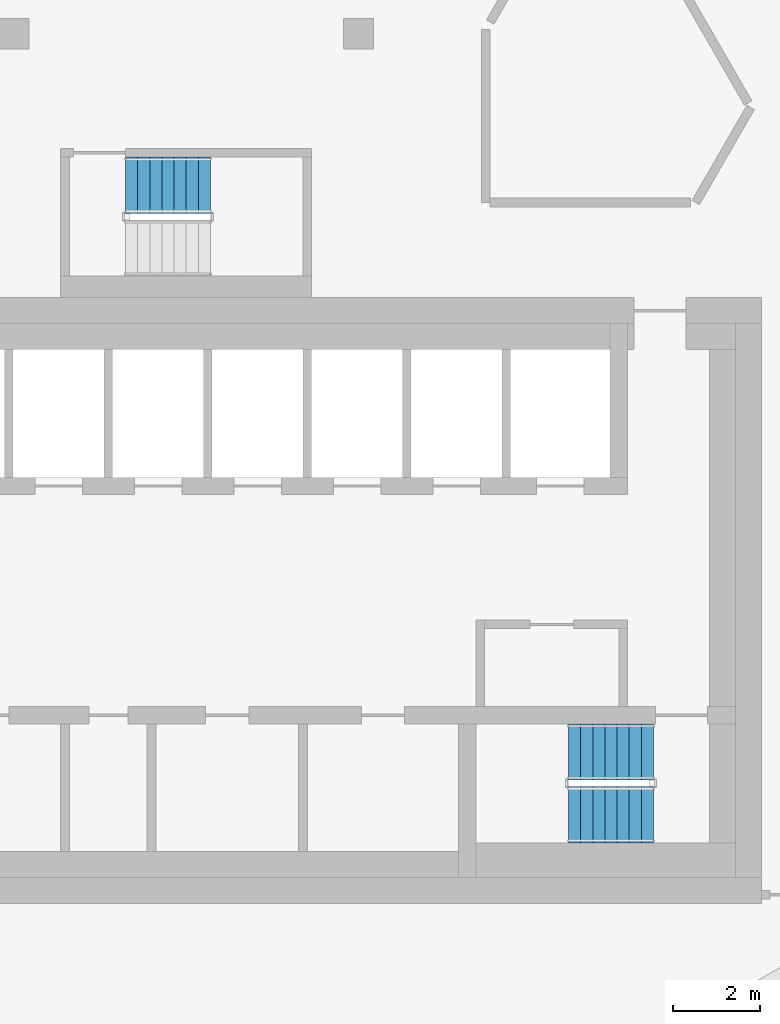
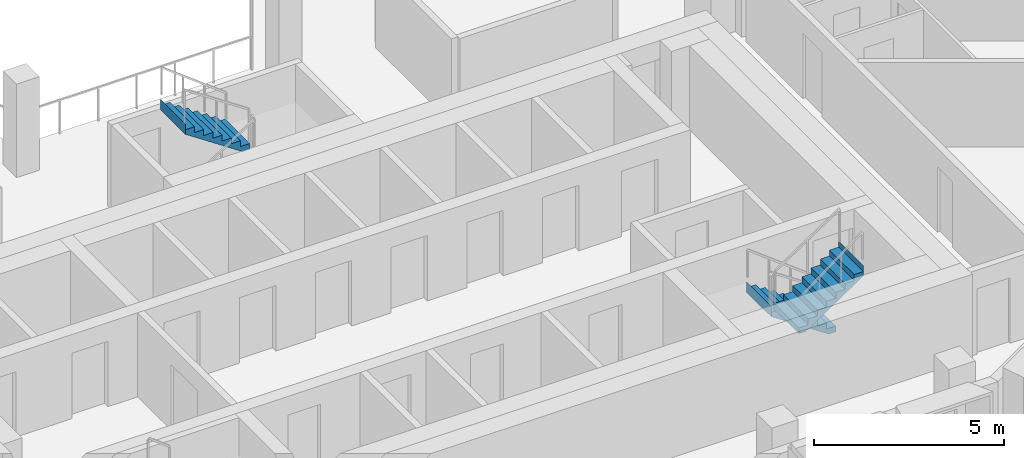
# One storey, part 13 of 18: 3 stair flights, 2 elements without a shape of their own.
"""IFC4 building model written with IfcOpenShell, lengths in metres."""

from ifc_helpers import new_model, si_unit, direction, frame, origin, place, context, subcontext, project, spatial, triangles, material, type_object, element, aggregate, save


model = new_model("IFC4")

# Units and contexts
model_context = context("Model", 3, precision=1e-05, world=origin(), true_north=direction((0.0, 1.0)))
body_context = subcontext(model_context, "Body", "Model", "MODEL_VIEW")
ifc_project = project(units=[si_unit("LENGTHUNIT", "METRE"), si_unit("AREAUNIT", "SQUARE_METRE"), si_unit("VOLUMEUNIT", "CUBIC_METRE"), si_unit("PLANEANGLEUNIT", "RADIAN"), si_unit("MASSUNIT", "GRAM", prefix="KILO")], contexts=[model_context])

# Site, building, storey
site_placement = place(None, origin())
site = spatial("IfcSite", under=ifc_project, at=site_placement, CompositionType="ELEMENT")
building_placement = place(site_placement, origin())
building = spatial("IfcBuilding", under=site, at=building_placement, Name="Beryl Residences", CompositionType="ELEMENT")
storey_placement = place(building_placement, frame((0.0, 0.0, 190.199951171875)))
storey = spatial("IfcBuildingStorey", under=building, at=storey_placement, Name="L58", CompositionType="ELEMENT", Elevation=190.199951171875)

# Stair, stair flights
ifc_material_1 = material(Name="Concrete C40/50", Category="concrete")
stair_type = type_object("IfcStairType", Name="ST1 protected exit stair, half-turn, 1300 mm flights", PredefinedType="HALF_TURN_STAIR", material=ifc_material_1)
stair_1_placement = place(storey_placement, origin())
stair_1 = element("IfcStair", 1, at=stair_1_placement, inside=storey, type_object=stair_type, Name="L58 PROTECTED EXIT STAIR ST-3", PredefinedType="HALF_TURN_STAIR")
ifc_material_2 = material(Name="Concrete C40/50", Category="concrete")
stair_flight_type = type_object("IfcStairFlightType", Name="SF1 stair flight 1300 mm", PredefinedType="STRAIGHT", material=ifc_material_2)
stair_flight_1_placement = place(storey_placement, frame((10.800048828125, -15.5, 0.0), z_axis=(0.0, 0.0, 1.0), x_axis=(-1.0, 0.0, 0.0)))
stair_flight_1 = element("IfcStairFlight", 2, at=stair_flight_1_placement, type_object=stair_flight_type, Name="ST-3 flight 1", NumberOfRisers=8, NumberOfTreads=7, PredefinedType="STRAIGHT", RiserHeight=0.1875, TreadLength=0.28, context=body_context, shape_type="Tessellation", body=[
    triangles([(0.0, -0.64990234375, 0.0), (0.0, -0.324951171875, 0.0), (0.0, 0.0, 0.0), (0.0, 0.324951171875, 0.0), (0.0, 0.64990234375, 0.0), (0.0, -0.64990234375, 0.1875), (0.0, -0.324951171875, 0.1875), (0.0, 0.0, 0.1875), (0.0, 0.324951171875, 0.1875), (0.0, 0.64990234375, 0.1875), (0.280029296875, -0.64990234375, 0.1875), (0.280029296875, -0.324951171875, 0.1875), (0.280029296875, 0.0, 0.1875), (0.280029296875, 0.324951171875, 0.1875), (0.280029296875, 0.64990234375, 0.1875), (0.280029296875, -0.64990234375, 0.375), (0.280029296875, -0.324951171875, 0.375), (0.280029296875, 0.0, 0.375), (0.280029296875, 0.324951171875, 0.375), (0.280029296875, 0.64990234375, 0.375), (0.56005859375, -0.64990234375, 0.375), (0.56005859375, -0.324951171875, 0.375), (0.56005859375, 0.0, 0.375), (0.56005859375, 0.324951171875, 0.375), (0.56005859375, 0.64990234375, 0.375), (0.56005859375, -0.64990234375, 0.5625), (0.56005859375, -0.324951171875, 0.5625), (0.56005859375, 0.0, 0.5625), (0.56005859375, 0.324951171875, 0.5625), (0.56005859375, 0.64990234375, 0.5625), (0.840087890625, -0.64990234375, 0.5625), (0.840087890625, -0.324951171875, 0.5625), (0.840087890625, 0.0, 0.5625), (0.840087890625, 0.324951171875, 0.5625), (0.840087890625, 0.64990234375, 0.5625), (0.840087890625, -0.64990234375, 0.75), (0.840087890625, -0.324951171875, 0.75), (0.840087890625, 0.0, 0.75), (0.840087890625, 0.324951171875, 0.75), (0.840087890625, 0.64990234375, 0.75), (1.1201171875, -0.64990234375, 0.75), (1.1201171875, -0.324951171875, 0.75), (1.1201171875, 0.0, 0.75), (1.1201171875, 0.324951171875, 0.75), (1.1201171875, 0.64990234375, 0.75), (1.1201171875, -0.64990234375, 0.9375), (1.1201171875, -0.324951171875, 0.9375), (1.1201171875, 0.0, 0.9375), (1.1201171875, 0.324951171875, 0.9375), (1.1201171875, 0.64990234375, 0.9375), (1.39990234375, -0.64990234375, 0.9375), (1.39990234375, -0.324951171875, 0.9375), (1.39990234375, 0.0, 0.9375), (1.39990234375, 0.324951171875, 0.9375), (1.39990234375, 0.64990234375, 0.9375), (1.39990234375, -0.64990234375, 1.125), (1.39990234375, -0.324951171875, 1.125), (1.39990234375, 0.0, 1.125), (1.39990234375, 0.324951171875, 1.125), (1.39990234375, 0.64990234375, 1.125), (1.679931640625, -0.64990234375, 1.125), (1.679931640625, -0.324951171875, 1.125), (1.679931640625, 0.0, 1.125), (1.679931640625, 0.324951171875, 1.125), (1.679931640625, 0.64990234375, 1.125), (1.679931640625, -0.64990234375, 1.3125), (1.679931640625, -0.324951171875, 1.3125), (1.679931640625, 0.0, 1.3125), (1.679931640625, 0.324951171875, 1.3125), (1.679931640625, 0.64990234375, 1.3125), (1.9599609375, -0.64990234375, 1.3125), (1.9599609375, -0.324951171875, 1.3125), (1.9599609375, 0.0, 1.3125), (1.9599609375, 0.324951171875, 1.3125), (1.9599609375, 0.64990234375, 1.3125), (1.9599609375, -0.64990234375, 1.5), (1.9599609375, -0.324951171875, 1.5), (1.9599609375, 0.0, 1.5), (1.9599609375, 0.324951171875, 1.5), (1.9599609375, 0.64990234375, 1.5), (1.9609375, -0.64990234375, 1.5), (1.9609375, -0.324951171875, 1.5), (1.9609375, 0.0, 1.5), (1.9609375, 0.324951171875, 1.5), (1.9609375, 0.64990234375, 1.5), (1.9609375, -0.64990234375, 1.16796875), (1.9609375, -0.324951171875, 1.16796875), (1.9609375, 0.0, 1.16796875), (1.9609375, 0.324951171875, 1.16796875), (1.9609375, 0.64990234375, 1.16796875), (0.216796875, -0.64990234375, 0.0), (0.216796875, -0.324951171875, 0.0), (0.216796875, 0.0, 0.0), (0.216796875, 0.324951171875, 0.0), (0.216796875, 0.64990234375, 0.0)], [[1, 6, 7], [1, 7, 2], [2, 7, 8], [2, 8, 3], [3, 8, 9], [3, 9, 4], [4, 9, 10], [4, 10, 5], [6, 11, 12], [6, 12, 7], [7, 12, 13], [7, 13, 8], [8, 13, 14], [8, 14, 9], [9, 14, 15], [9, 15, 10], [11, 16, 17], [11, 17, 12], [12, 17, 18], [12, 18, 13], [13, 18, 19], [13, 19, 14], [14, 19, 20], [14, 20, 15], [16, 21, 22], [16, 22, 17], [17, 22, 23], [17, 23, 18], [18, 23, 24], [18, 24, 19], [19, 24, 25], [19, 25, 20], [21, 26, 27], [21, 27, 22], [22, 27, 28], [22, 28, 23], [23, 28, 29], [23, 29, 24], [24, 29, 30], [24, 30, 25], [26, 31, 32], [26, 32, 27], [27, 32, 33], [27, 33, 28], [28, 33, 34], [28, 34, 29], [29, 34, 35], [29, 35, 30], [31, 36, 37], [31, 37, 32], [32, 37, 38], [32, 38, 33], [33, 38, 39], [33, 39, 34], [34, 39, 40], [34, 40, 35], [36, 41, 42], [36, 42, 37], [37, 42, 43], [37, 43, 38], [38, 43, 44], [38, 44, 39], [39, 44, 45], [39, 45, 40], [41, 46, 47], [41, 47, 42], [42, 47, 48], [42, 48, 43], [43, 48, 49], [43, 49, 44], [44, 49, 50], [44, 50, 45], [46, 51, 52], [46, 52, 47], [47, 52, 53], [47, 53, 48], [48, 53, 54], [48, 54, 49], [49, 54, 55], [49, 55, 50], [51, 56, 57], [51, 57, 52], [52, 57, 58], [52, 58, 53], [53, 58, 59], [53, 59, 54], [54, 59, 60], [54, 60, 55], [56, 61, 62], [56, 62, 57], [57, 62, 63], [57, 63, 58], [58, 63, 64], [58, 64, 59], [59, 64, 65], [59, 65, 60], [61, 66, 67], [61, 67, 62], [62, 67, 68], [62, 68, 63], [63, 68, 69], [63, 69, 64], [64, 69, 70], [64, 70, 65], [66, 71, 72], [66, 72, 67], [67, 72, 73], [67, 73, 68], [68, 73, 74], [68, 74, 69], [69, 74, 75], [69, 75, 70], [71, 76, 77], [71, 77, 72], [72, 77, 78], [72, 78, 73], [73, 78, 79], [73, 79, 74], [74, 79, 80], [74, 80, 75], [76, 81, 82], [76, 82, 77], [77, 82, 83], [77, 83, 78], [78, 83, 84], [78, 84, 79], [79, 84, 85], [79, 85, 80], [81, 86, 87], [81, 87, 82], [82, 87, 88], [82, 88, 83], [83, 88, 89], [83, 89, 84], [84, 89, 90], [84, 90, 85], [86, 91, 92], [86, 92, 87], [87, 92, 93], [87, 93, 88], [88, 93, 94], [88, 94, 89], [89, 94, 95], [89, 95, 90], [91, 1, 2], [91, 2, 92], [92, 2, 3], [92, 3, 93], [93, 3, 4], [93, 4, 94], [94, 4, 5], [94, 5, 95], [1, 91, 86], [5, 90, 95], [86, 81, 76], [90, 80, 85], [86, 76, 71], [90, 75, 80], [86, 71, 66], [90, 70, 75], [86, 66, 61], [90, 65, 70], [61, 56, 51], [65, 55, 60], [86, 61, 51], [90, 55, 65], [51, 46, 41], [55, 45, 50], [86, 51, 41], [90, 45, 55], [41, 36, 31], [45, 35, 40], [86, 41, 31], [90, 35, 45], [31, 26, 21], [35, 25, 30], [86, 31, 21], [90, 25, 35], [21, 16, 11], [25, 15, 20], [86, 21, 11], [90, 15, 25], [1, 86, 11], [5, 15, 90], [11, 6, 1], [15, 5, 10]], closed=True),
])
stair_flight_2_placement = place(storey_placement, frame((8.840087890625, -16.949951171875, 1.5), z_axis=(0.0, 0.0, 1.0), x_axis=(1.0, 0.0, 0.0)))
stair_flight_2 = element("IfcStairFlight", 3, at=stair_flight_2_placement, type_object=stair_flight_type, Name="ST-3 flight 2", NumberOfRisers=8, NumberOfTreads=7, PredefinedType="STRAIGHT", RiserHeight=0.1875, TreadLength=0.28, context=body_context, shape_type="Tessellation", body=[
    triangles([(0.0, -0.64990234375, 0.0), (0.0, -0.324951171875, 0.0), (0.0, 0.0, 0.0), (0.0, 0.324951171875, 0.0), (0.0, 0.64990234375, 0.0), (0.0, -0.64990234375, 0.1875), (0.0, -0.324951171875, 0.1875), (0.0, 0.0, 0.1875), (0.0, 0.324951171875, 0.1875), (0.0, 0.64990234375, 0.1875), (0.280029296875, -0.64990234375, 0.1875), (0.280029296875, -0.324951171875, 0.1875), (0.280029296875, 0.0, 0.1875), (0.280029296875, 0.324951171875, 0.1875), (0.280029296875, 0.64990234375, 0.1875), (0.280029296875, -0.64990234375, 0.375), (0.280029296875, -0.324951171875, 0.375), (0.280029296875, 0.0, 0.375), (0.280029296875, 0.324951171875, 0.375), (0.280029296875, 0.64990234375, 0.375), (0.56005859375, -0.64990234375, 0.375), (0.56005859375, -0.324951171875, 0.375), (0.56005859375, 0.0, 0.375), (0.56005859375, 0.324951171875, 0.375), (0.56005859375, 0.64990234375, 0.375), (0.56005859375, -0.64990234375, 0.5625), (0.56005859375, -0.324951171875, 0.5625), (0.56005859375, 0.0, 0.5625), (0.56005859375, 0.324951171875, 0.5625), (0.56005859375, 0.64990234375, 0.5625), (0.840087890625, -0.64990234375, 0.5625), (0.840087890625, -0.324951171875, 0.5625), (0.840087890625, 0.0, 0.5625), (0.840087890625, 0.324951171875, 0.5625), (0.840087890625, 0.64990234375, 0.5625), (0.840087890625, -0.64990234375, 0.75), (0.840087890625, -0.324951171875, 0.75), (0.840087890625, 0.0, 0.75), (0.840087890625, 0.324951171875, 0.75), (0.840087890625, 0.64990234375, 0.75), (1.1201171875, -0.64990234375, 0.75), (1.1201171875, -0.324951171875, 0.75), (1.1201171875, 0.0, 0.75), (1.1201171875, 0.324951171875, 0.75), (1.1201171875, 0.64990234375, 0.75), (1.1201171875, -0.64990234375, 0.9375), (1.1201171875, -0.324951171875, 0.9375), (1.1201171875, 0.0, 0.9375), (1.1201171875, 0.324951171875, 0.9375), (1.1201171875, 0.64990234375, 0.9375), (1.39990234375, -0.64990234375, 0.9375), (1.39990234375, -0.324951171875, 0.9375), (1.39990234375, 0.0, 0.9375), (1.39990234375, 0.324951171875, 0.9375), (1.39990234375, 0.64990234375, 0.9375), (1.39990234375, -0.64990234375, 1.125), (1.39990234375, -0.324951171875, 1.125), (1.39990234375, 0.0, 1.125), (1.39990234375, 0.324951171875, 1.125), (1.39990234375, 0.64990234375, 1.125), (1.679931640625, -0.64990234375, 1.125), (1.679931640625, -0.324951171875, 1.125), (1.679931640625, 0.0, 1.125), (1.679931640625, 0.324951171875, 1.125), (1.679931640625, 0.64990234375, 1.125), (1.679931640625, -0.64990234375, 1.3125), (1.679931640625, -0.324951171875, 1.3125), (1.679931640625, 0.0, 1.3125), (1.679931640625, 0.324951171875, 1.3125), (1.679931640625, 0.64990234375, 1.3125), (1.9599609375, -0.64990234375, 1.3125), (1.9599609375, -0.324951171875, 1.3125), (1.9599609375, 0.0, 1.3125), (1.9599609375, 0.324951171875, 1.3125), (1.9599609375, 0.64990234375, 1.3125), (1.9599609375, -0.64990234375, 1.5), (1.9599609375, -0.324951171875, 1.5), (1.9599609375, 0.0, 1.5), (1.9599609375, 0.324951171875, 1.5), (1.9599609375, 0.64990234375, 1.5), (1.9609375, -0.64990234375, 1.5), (1.9609375, -0.324951171875, 1.5), (1.9609375, 0.0, 1.5), (1.9609375, 0.324951171875, 1.5), (1.9609375, 0.64990234375, 1.5), (1.9609375, -0.64990234375, 1.16796875), (1.9609375, -0.324951171875, 1.16796875), (1.9609375, 0.0, 1.16796875), (1.9609375, 0.324951171875, 1.16796875), (1.9609375, 0.64990234375, 1.16796875), (0.216796875, -0.64990234375, 0.0), (0.216796875, -0.324951171875, 0.0), (0.216796875, 0.0, 0.0), (0.216796875, 0.324951171875, 0.0), (0.216796875, 0.64990234375, 0.0)], [[1, 6, 7], [1, 7, 2], [2, 7, 8], [2, 8, 3], [3, 8, 9], [3, 9, 4], [4, 9, 10], [4, 10, 5], [6, 11, 12], [6, 12, 7], [7, 12, 13], [7, 13, 8], [8, 13, 14], [8, 14, 9], [9, 14, 15], [9, 15, 10], [11, 16, 17], [11, 17, 12], [12, 17, 18], [12, 18, 13], [13, 18, 19], [13, 19, 14], [14, 19, 20], [14, 20, 15], [16, 21, 22], [16, 22, 17], [17, 22, 23], [17, 23, 18], [18, 23, 24], [18, 24, 19], [19, 24, 25], [19, 25, 20], [21, 26, 27], [21, 27, 22], [22, 27, 28], [22, 28, 23], [23, 28, 29], [23, 29, 24], [24, 29, 30], [24, 30, 25], [26, 31, 32], [26, 32, 27], [27, 32, 33], [27, 33, 28], [28, 33, 34], [28, 34, 29], [29, 34, 35], [29, 35, 30], [31, 36, 37], [31, 37, 32], [32, 37, 38], [32, 38, 33], [33, 38, 39], [33, 39, 34], [34, 39, 40], [34, 40, 35], [36, 41, 42], [36, 42, 37], [37, 42, 43], [37, 43, 38], [38, 43, 44], [38, 44, 39], [39, 44, 45], [39, 45, 40], [41, 46, 47], [41, 47, 42], [42, 47, 48], [42, 48, 43], [43, 48, 49], [43, 49, 44], [44, 49, 50], [44, 50, 45], [46, 51, 52], [46, 52, 47], [47, 52, 53], [47, 53, 48], [48, 53, 54], [48, 54, 49], [49, 54, 55], [49, 55, 50], [51, 56, 57], [51, 57, 52], [52, 57, 58], [52, 58, 53], [53, 58, 59], [53, 59, 54], [54, 59, 60], [54, 60, 55], [56, 61, 62], [56, 62, 57], [57, 62, 63], [57, 63, 58], [58, 63, 64], [58, 64, 59], [59, 64, 65], [59, 65, 60], [61, 66, 67], [61, 67, 62], [62, 67, 68], [62, 68, 63], [63, 68, 69], [63, 69, 64], [64, 69, 70], [64, 70, 65], [66, 71, 72], [66, 72, 67], [67, 72, 73], [67, 73, 68], [68, 73, 74], [68, 74, 69], [69, 74, 75], [69, 75, 70], [71, 76, 77], [71, 77, 72], [72, 77, 78], [72, 78, 73], [73, 78, 79], [73, 79, 74], [74, 79, 80], [74, 80, 75], [76, 81, 82], [76, 82, 77], [77, 82, 83], [77, 83, 78], [78, 83, 84], [78, 84, 79], [79, 84, 85], [79, 85, 80], [81, 86, 87], [81, 87, 82], [82, 87, 88], [82, 88, 83], [83, 88, 89], [83, 89, 84], [84, 89, 90], [84, 90, 85], [86, 91, 92], [86, 92, 87], [87, 92, 93], [87, 93, 88], [88, 93, 94], [88, 94, 89], [89, 94, 95], [89, 95, 90], [91, 1, 2], [91, 2, 92], [92, 2, 3], [92, 3, 93], [93, 3, 4], [93, 4, 94], [94, 4, 5], [94, 5, 95], [1, 91, 86], [5, 90, 95], [86, 81, 76], [90, 80, 85], [86, 76, 71], [90, 75, 80], [86, 71, 66], [90, 70, 75], [86, 66, 61], [90, 65, 70], [61, 56, 51], [65, 55, 60], [86, 61, 51], [90, 55, 65], [51, 46, 41], [55, 45, 50], [86, 51, 41], [90, 45, 55], [41, 36, 31], [45, 35, 40], [86, 41, 31], [90, 35, 45], [31, 26, 21], [35, 25, 30], [86, 31, 21], [90, 25, 35], [21, 16, 11], [25, 15, 20], [86, 21, 11], [90, 15, 25], [1, 86, 11], [5, 15, 90], [11, 6, 1], [15, 5, 10]], closed=True),
])
aggregate(stair_1, [stair_flight_1, stair_flight_2])

# Stair, stair flight
stair_2_placement = place(storey_placement, origin())
stair_2 = element("IfcStair", 4, at=stair_2_placement, inside=storey, type_object=stair_type, Name="L58 PROTECTED EXIT STAIR ST-4", PredefinedType="HALF_TURN_STAIR")
stair_flight_3_placement = place(storey_placement, frame((0.56005859375, -2.39990234375, 1.5), z_axis=(0.0, 0.0, 1.0), x_axis=(-1.0, 0.0, 0.0)))
stair_flight_3 = element("IfcStairFlight", 5, at=stair_flight_3_placement, type_object=stair_flight_type, Name="ST-4 flight 2", NumberOfRisers=8, NumberOfTreads=7, PredefinedType="STRAIGHT", RiserHeight=0.1875, TreadLength=0.28, context=body_context, shape_type="Tessellation", body=[
    triangles([(0.0, -0.64990234375, 0.0), (0.0, -0.324951171875, 0.0), (0.0, 0.0, 0.0), (0.0, 0.324951171875, 0.0), (0.0, 0.64990234375, 0.0), (0.0, -0.64990234375, 0.1875), (0.0, -0.324951171875, 0.1875), (0.0, 0.0, 0.1875), (0.0, 0.324951171875, 0.1875), (0.0, 0.64990234375, 0.1875), (0.280029296875, -0.64990234375, 0.1875), (0.280029296875, -0.324951171875, 0.1875), (0.280029296875, 0.0, 0.1875), (0.280029296875, 0.324951171875, 0.1875), (0.280029296875, 0.64990234375, 0.1875), (0.280029296875, -0.64990234375, 0.375), (0.280029296875, -0.324951171875, 0.375), (0.280029296875, 0.0, 0.375), (0.280029296875, 0.324951171875, 0.375), (0.280029296875, 0.64990234375, 0.375), (0.56005859375, -0.64990234375, 0.375), (0.56005859375, -0.324951171875, 0.375), (0.56005859375, 0.0, 0.375), (0.56005859375, 0.324951171875, 0.375), (0.56005859375, 0.64990234375, 0.375), (0.56005859375, -0.64990234375, 0.5625), (0.56005859375, -0.324951171875, 0.5625), (0.56005859375, 0.0, 0.5625), (0.56005859375, 0.324951171875, 0.5625), (0.56005859375, 0.64990234375, 0.5625), (0.840087890625, -0.64990234375, 0.5625), (0.840087890625, -0.324951171875, 0.5625), (0.840087890625, 0.0, 0.5625), (0.840087890625, 0.324951171875, 0.5625), (0.840087890625, 0.64990234375, 0.5625), (0.840087890625, -0.64990234375, 0.75), (0.840087890625, -0.324951171875, 0.75), (0.840087890625, 0.0, 0.75), (0.840087890625, 0.324951171875, 0.75), (0.840087890625, 0.64990234375, 0.75), (1.1201171875, -0.64990234375, 0.75), (1.1201171875, -0.324951171875, 0.75), (1.1201171875, 0.0, 0.75), (1.1201171875, 0.324951171875, 0.75), (1.1201171875, 0.64990234375, 0.75), (1.1201171875, -0.64990234375, 0.9375), (1.1201171875, -0.324951171875, 0.9375), (1.1201171875, 0.0, 0.9375), (1.1201171875, 0.324951171875, 0.9375), (1.1201171875, 0.64990234375, 0.9375), (1.39990234375, -0.64990234375, 0.9375), (1.39990234375, -0.324951171875, 0.9375), (1.39990234375, 0.0, 0.9375), (1.39990234375, 0.324951171875, 0.9375), (1.39990234375, 0.64990234375, 0.9375), (1.39990234375, -0.64990234375, 1.125), (1.39990234375, -0.324951171875, 1.125), (1.39990234375, 0.0, 1.125), (1.39990234375, 0.324951171875, 1.125), (1.39990234375, 0.64990234375, 1.125), (1.679931640625, -0.64990234375, 1.125), (1.679931640625, -0.324951171875, 1.125), (1.679931640625, 0.0, 1.125), (1.679931640625, 0.324951171875, 1.125), (1.679931640625, 0.64990234375, 1.125), (1.679931640625, -0.64990234375, 1.3125), (1.679931640625, -0.324951171875, 1.3125), (1.679931640625, 0.0, 1.3125), (1.679931640625, 0.324951171875, 1.3125), (1.679931640625, 0.64990234375, 1.3125), (1.9599609375, -0.64990234375, 1.3125), (1.9599609375, -0.324951171875, 1.3125), (1.9599609375, 0.0, 1.3125), (1.9599609375, 0.324951171875, 1.3125), (1.9599609375, 0.64990234375, 1.3125), (1.9599609375, -0.64990234375, 1.5), (1.9599609375, -0.324951171875, 1.5), (1.9599609375, 0.0, 1.5), (1.9599609375, 0.324951171875, 1.5), (1.9599609375, 0.64990234375, 1.5), (1.9609375, -0.64990234375, 1.5), (1.9609375, -0.324951171875, 1.5), (1.9609375, 0.0, 1.5), (1.9609375, 0.324951171875, 1.5), (1.9609375, 0.64990234375, 1.5), (1.9609375, -0.64990234375, 1.16796875), (1.9609375, -0.324951171875, 1.16796875), (1.9609375, 0.0, 1.16796875), (1.9609375, 0.324951171875, 1.16796875), (1.9609375, 0.64990234375, 1.16796875), (0.216796875, -0.64990234375, 0.0), (0.216796875, -0.324951171875, 0.0), (0.216796875, 0.0, 0.0), (0.216796875, 0.324951171875, 0.0), (0.216796875, 0.64990234375, 0.0)], [[1, 6, 7], [1, 7, 2], [2, 7, 8], [2, 8, 3], [3, 8, 9], [3, 9, 4], [4, 9, 10], [4, 10, 5], [6, 11, 12], [6, 12, 7], [7, 12, 13], [7, 13, 8], [8, 13, 14], [8, 14, 9], [9, 14, 15], [9, 15, 10], [11, 16, 17], [11, 17, 12], [12, 17, 18], [12, 18, 13], [13, 18, 19], [13, 19, 14], [14, 19, 20], [14, 20, 15], [16, 21, 22], [16, 22, 17], [17, 22, 23], [17, 23, 18], [18, 23, 24], [18, 24, 19], [19, 24, 25], [19, 25, 20], [21, 26, 27], [21, 27, 22], [22, 27, 28], [22, 28, 23], [23, 28, 29], [23, 29, 24], [24, 29, 30], [24, 30, 25], [26, 31, 32], [26, 32, 27], [27, 32, 33], [27, 33, 28], [28, 33, 34], [28, 34, 29], [29, 34, 35], [29, 35, 30], [31, 36, 37], [31, 37, 32], [32, 37, 38], [32, 38, 33], [33, 38, 39], [33, 39, 34], [34, 39, 40], [34, 40, 35], [36, 41, 42], [36, 42, 37], [37, 42, 43], [37, 43, 38], [38, 43, 44], [38, 44, 39], [39, 44, 45], [39, 45, 40], [41, 46, 47], [41, 47, 42], [42, 47, 48], [42, 48, 43], [43, 48, 49], [43, 49, 44], [44, 49, 50], [44, 50, 45], [46, 51, 52], [46, 52, 47], [47, 52, 53], [47, 53, 48], [48, 53, 54], [48, 54, 49], [49, 54, 55], [49, 55, 50], [51, 56, 57], [51, 57, 52], [52, 57, 58], [52, 58, 53], [53, 58, 59], [53, 59, 54], [54, 59, 60], [54, 60, 55], [56, 61, 62], [56, 62, 57], [57, 62, 63], [57, 63, 58], [58, 63, 64], [58, 64, 59], [59, 64, 65], [59, 65, 60], [61, 66, 67], [61, 67, 62], [62, 67, 68], [62, 68, 63], [63, 68, 69], [63, 69, 64], [64, 69, 70], [64, 70, 65], [66, 71, 72], [66, 72, 67], [67, 72, 73], [67, 73, 68], [68, 73, 74], [68, 74, 69], [69, 74, 75], [69, 75, 70], [71, 76, 77], [71, 77, 72], [72, 77, 78], [72, 78, 73], [73, 78, 79], [73, 79, 74], [74, 79, 80], [74, 80, 75], [76, 81, 82], [76, 82, 77], [77, 82, 83], [77, 83, 78], [78, 83, 84], [78, 84, 79], [79, 84, 85], [79, 85, 80], [81, 86, 87], [81, 87, 82], [82, 87, 88], [82, 88, 83], [83, 88, 89], [83, 89, 84], [84, 89, 90], [84, 90, 85], [86, 91, 92], [86, 92, 87], [87, 92, 93], [87, 93, 88], [88, 93, 94], [88, 94, 89], [89, 94, 95], [89, 95, 90], [91, 1, 2], [91, 2, 92], [92, 2, 3], [92, 3, 93], [93, 3, 4], [93, 4, 94], [94, 4, 5], [94, 5, 95], [1, 91, 86], [5, 90, 95], [86, 81, 76], [90, 80, 85], [86, 76, 71], [90, 75, 80], [86, 71, 66], [90, 70, 75], [86, 66, 61], [90, 65, 70], [61, 56, 51], [65, 55, 60], [86, 61, 51], [90, 55, 65], [51, 46, 41], [55, 45, 50], [86, 51, 41], [90, 45, 55], [41, 36, 31], [45, 35, 40], [86, 41, 31], [90, 35, 45], [31, 26, 21], [35, 25, 30], [86, 31, 21], [90, 25, 35], [21, 16, 11], [25, 15, 20], [86, 21, 11], [90, 15, 25], [1, 86, 11], [5, 15, 90], [11, 6, 1], [15, 5, 10]], closed=True),
])
aggregate(stair_2, [stair_flight_3])

save(model, "model.ifc")
